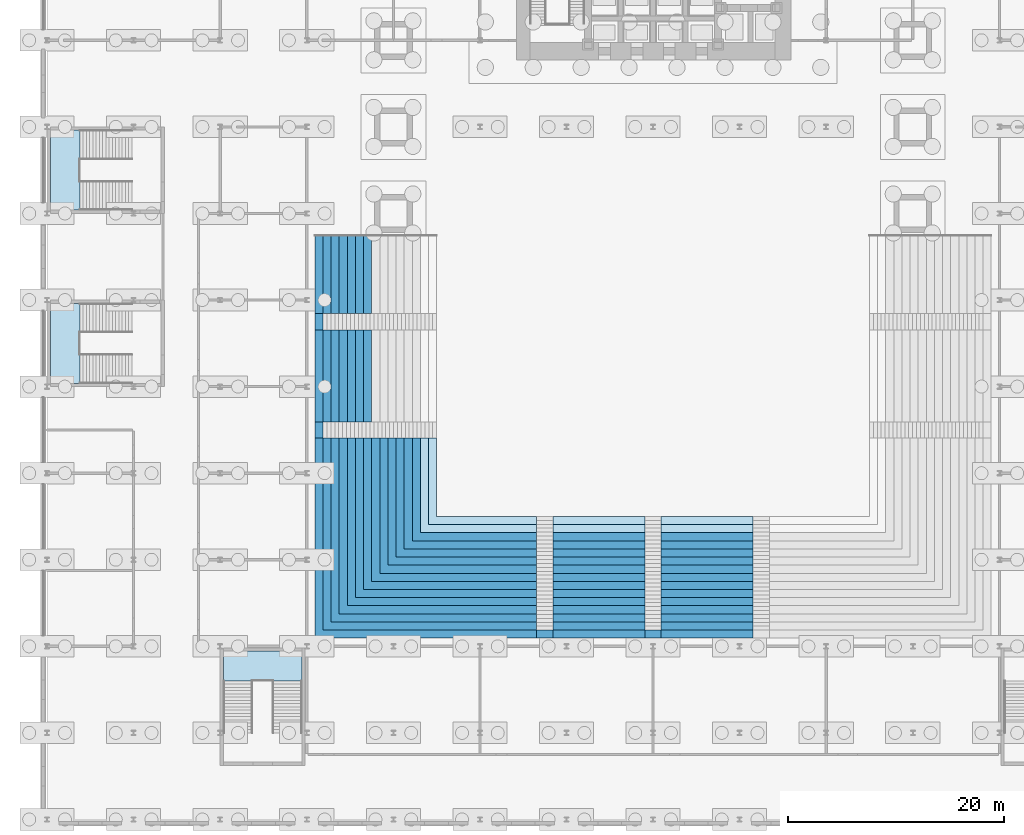
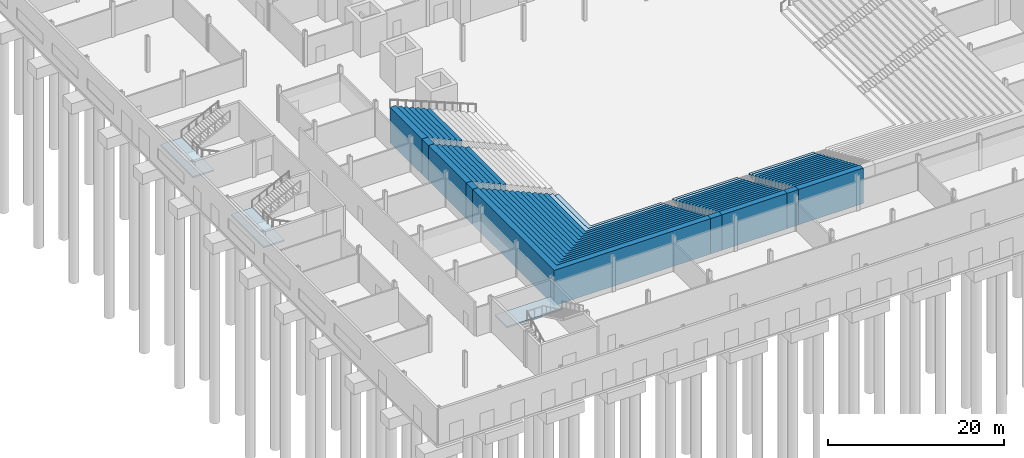
# One storey, part 8 of 24: 66 slabs, 3 elements without a shape of their own.
"""IFC4 building model written with IfcOpenShell, lengths in metres."""

from ifc_helpers import new_model, si_unit, direction, frame, origin, place, context, subcontext, project, spatial, polyline, outline, extrude, material, layer, layer_set, type_object, element, aggregate, save


model = new_model("IFC4")

# Units and contexts
model_context = context("Model", 3, precision=1e-05, world=origin(), true_north=direction((0.0, 1.0)))
body_context = subcontext(model_context, "Body", "Model", "MODEL_VIEW")
ifc_project = project(units=[si_unit("LENGTHUNIT", "METRE"), si_unit("AREAUNIT", "SQUARE_METRE"), si_unit("VOLUMEUNIT", "CUBIC_METRE"), si_unit("PLANEANGLEUNIT", "RADIAN"), si_unit("MASSUNIT", "GRAM", prefix="KILO")], contexts=[model_context])

# Site, building, storey
site_placement = place(None, origin())
site = spatial("IfcSite", under=ifc_project, at=site_placement, CompositionType="ELEMENT")
building_placement = place(site_placement, origin())
building = spatial("IfcBuilding", under=site, at=building_placement, Name="Daluyong Arena Tower", CompositionType="ELEMENT")
storey_placement = place(building_placement, origin())
storey = spatial("IfcBuildingStorey", under=building, at=storey_placement, Name="L00", CompositionType="ELEMENT", Elevation=0.0)

# Slabs
ifc_material_1 = material(Name="Concrete fc' 35 MPa", Category="concrete")
ifc_layer_1 = layer(ifc_material_1, 0.326904296875)
ifc_layer_set_1 = layer_set([ifc_layer_1], Name="Concrete fc' 35 MPa")
slab_type_1 = type_object("IfcSlabType", Name="Lower seating row 01", PredefinedType="USERDEFINED", material=ifc_layer_set_1)
slab_1_placement = place(storey_placement, origin())
element("IfcSlab", 1, at=slab_1_placement, inside=storey, type_object=slab_type_1, Name="lower seating row 1 part 3", ObjectType="SEATING UNIT", PredefinedType="USERDEFINED", context=body_context, shape_type="SweptSolid", body=[
    extrude(outline(polyline([(35.25, 27.25), (45.25, 27.25), (45.25, 28.0), (36.0, 28.0), (36.0, 35.25), (35.25, 35.25), (35.25, 27.25)])), origin(), (0.0, 0.0, 1.0), 0.32666015625),
])
slab_2_placement = place(storey_placement, origin())
element("IfcSlab", 2, at=slab_2_placement, inside=storey, type_object=slab_type_1, Name="lower seating row 1 part 4", ObjectType="SEATING UNIT", PredefinedType="USERDEFINED", context=body_context, shape_type="SweptSolid", body=[
    extrude(outline(polyline([(46.75, 27.25), (55.25, 27.25), (55.25, 28.0), (46.75, 28.0), (46.75, 27.25)])), origin(), (0.0, 0.0, 1.0), 0.32666015625),
])
slab_3_placement = place(storey_placement, origin())
element("IfcSlab", 3, at=slab_3_placement, inside=storey, type_object=slab_type_1, Name="lower seating row 1 part 5", ObjectType="SEATING UNIT", PredefinedType="USERDEFINED", context=body_context, shape_type="SweptSolid", body=[
    extrude(outline(polyline([(56.75, 27.25), (65.25, 27.25), (65.25, 28.0), (56.75, 28.0), (56.75, 27.25)])), origin(), (0.0, 0.0, 1.0), 0.32666015625),
])
ifc_material_2 = material(Name="Concrete fc' 35 MPa", Category="concrete")
ifc_layer_2 = layer(ifc_material_2, 0.653076171875)
ifc_layer_set_2 = layer_set([ifc_layer_2], Name="Concrete fc' 35 MPa")
slab_type_2 = type_object("IfcSlabType", Name="Lower seating row 02", PredefinedType="USERDEFINED", material=ifc_layer_set_2)
slab_4_placement = place(storey_placement, origin())
element("IfcSlab", 4, at=slab_4_placement, inside=storey, type_object=slab_type_2, Name="lower seating row 2 part 3", ObjectType="SEATING UNIT", PredefinedType="USERDEFINED", context=body_context, shape_type="SweptSolid", body=[
    extrude(outline(polyline([(34.5, 26.5), (45.25, 26.5), (45.25, 27.25), (35.25, 27.25), (35.25, 35.25), (34.5, 35.25), (34.5, 26.5)])), origin(), (0.0, 0.0, 1.0), 0.6533203125),
])
slab_5_placement = place(storey_placement, origin())
element("IfcSlab", 5, at=slab_5_placement, inside=storey, type_object=slab_type_2, Name="lower seating row 2 part 4", ObjectType="SEATING UNIT", PredefinedType="USERDEFINED", context=body_context, shape_type="SweptSolid", body=[
    extrude(outline(polyline([(46.75, 26.5), (55.25, 26.5), (55.25, 27.25), (46.75, 27.25), (46.75, 26.5)])), origin(), (0.0, 0.0, 1.0), 0.6533203125),
])
slab_6_placement = place(storey_placement, origin())
element("IfcSlab", 6, at=slab_6_placement, inside=storey, type_object=slab_type_2, Name="lower seating row 2 part 5", ObjectType="SEATING UNIT", PredefinedType="USERDEFINED", context=body_context, shape_type="SweptSolid", body=[
    extrude(outline(polyline([(56.75, 26.5), (65.25, 26.5), (65.25, 27.25), (56.75, 27.25), (56.75, 26.5)])), origin(), (0.0, 0.0, 1.0), 0.6533203125),
])
ifc_material_3 = material(Name="Concrete fc' 35 MPa", Category="concrete")
ifc_layer_3 = layer(ifc_material_3, 0.97998046875)
ifc_layer_set_3 = layer_set([ifc_layer_3], Name="Concrete fc' 35 MPa")
slab_type_3 = type_object("IfcSlabType", Name="Lower seating row 03", PredefinedType="USERDEFINED", material=ifc_layer_set_3)
slab_7_placement = place(storey_placement, origin())
element("IfcSlab", 7, at=slab_7_placement, inside=storey, type_object=slab_type_3, Name="lower seating row 3 part 3", ObjectType="SEATING UNIT", PredefinedType="USERDEFINED", context=body_context, shape_type="SweptSolid", body=[
    extrude(outline(polyline([(33.75, 25.75), (45.25, 25.75), (45.25, 26.5), (34.5, 26.5), (34.5, 35.25), (33.75, 35.25), (33.75, 25.75)])), origin(), (0.0, 0.0, 1.0), 0.97998046875),
])
slab_8_placement = place(storey_placement, origin())
element("IfcSlab", 8, at=slab_8_placement, inside=storey, type_object=slab_type_3, Name="lower seating row 3 part 4", ObjectType="SEATING UNIT", PredefinedType="USERDEFINED", context=body_context, shape_type="SweptSolid", body=[
    extrude(outline(polyline([(46.75, 25.75), (55.25, 25.75), (55.25, 26.5), (46.75, 26.5), (46.75, 25.75)])), origin(), (0.0, 0.0, 1.0), 0.97998046875),
])
slab_9_placement = place(storey_placement, origin())
element("IfcSlab", 9, at=slab_9_placement, inside=storey, type_object=slab_type_3, Name="lower seating row 3 part 5", ObjectType="SEATING UNIT", PredefinedType="USERDEFINED", context=body_context, shape_type="SweptSolid", body=[
    extrude(outline(polyline([(56.75, 25.75), (65.25, 25.75), (65.25, 26.5), (56.75, 26.5), (56.75, 25.75)])), origin(), (0.0, 0.0, 1.0), 0.97998046875),
])
ifc_material_4 = material(Name="Concrete fc' 35 MPa", Category="concrete")
ifc_layer_4 = layer(ifc_material_4, 1.306884765625)
ifc_layer_set_4 = layer_set([ifc_layer_4], Name="Concrete fc' 35 MPa")
slab_type_4 = type_object("IfcSlabType", Name="Lower seating row 04", PredefinedType="USERDEFINED", material=ifc_layer_set_4)
slab_10_placement = place(storey_placement, origin())
element("IfcSlab", 10, at=slab_10_placement, inside=storey, type_object=slab_type_4, Name="lower seating row 4 part 3", ObjectType="SEATING UNIT", PredefinedType="USERDEFINED", context=body_context, shape_type="SweptSolid", body=[
    extrude(outline(polyline([(33.0, 25.0), (45.25, 25.0), (45.25, 25.75), (33.75, 25.75), (33.75, 35.25), (33.0, 35.25), (33.0, 25.0)])), origin(), (0.0, 0.0, 1.0), 1.306640625),
])
slab_11_placement = place(storey_placement, origin())
element("IfcSlab", 11, at=slab_11_placement, inside=storey, type_object=slab_type_4, Name="lower seating row 4 part 4", ObjectType="SEATING UNIT", PredefinedType="USERDEFINED", context=body_context, shape_type="SweptSolid", body=[
    extrude(outline(polyline([(46.75, 25.0), (55.25, 25.0), (55.25, 25.75), (46.75, 25.75), (46.75, 25.0)])), origin(), (0.0, 0.0, 1.0), 1.306640625),
])
slab_12_placement = place(storey_placement, origin())
element("IfcSlab", 12, at=slab_12_placement, inside=storey, type_object=slab_type_4, Name="lower seating row 4 part 5", ObjectType="SEATING UNIT", PredefinedType="USERDEFINED", context=body_context, shape_type="SweptSolid", body=[
    extrude(outline(polyline([(56.75, 25.0), (65.25, 25.0), (65.25, 25.75), (56.75, 25.75), (56.75, 25.0)])), origin(), (0.0, 0.0, 1.0), 1.306640625),
])
ifc_material_5 = material(Name="Concrete fc' 35 MPa", Category="concrete")
ifc_layer_5 = layer(ifc_material_5, 1.633056640625)
ifc_layer_set_5 = layer_set([ifc_layer_5], Name="Concrete fc' 35 MPa")
slab_type_5 = type_object("IfcSlabType", Name="Lower seating row 05", PredefinedType="USERDEFINED", material=ifc_layer_set_5)
slab_13_placement = place(storey_placement, origin())
element("IfcSlab", 13, at=slab_13_placement, inside=storey, type_object=slab_type_5, Name="lower seating row 5 part 3", ObjectType="SEATING UNIT", PredefinedType="USERDEFINED", context=body_context, shape_type="SweptSolid", body=[
    extrude(outline(polyline([(32.25, 24.25), (45.25, 24.25), (45.25, 25.0), (33.0, 25.0), (33.0, 35.25), (32.25, 35.25), (32.25, 24.25)])), origin(), (0.0, 0.0, 1.0), 1.63330078125),
])
slab_14_placement = place(storey_placement, origin())
element("IfcSlab", 14, at=slab_14_placement, inside=storey, type_object=slab_type_5, Name="lower seating row 5 part 4", ObjectType="SEATING UNIT", PredefinedType="USERDEFINED", context=body_context, shape_type="SweptSolid", body=[
    extrude(outline(polyline([(46.75, 24.25), (55.25, 24.25), (55.25, 25.0), (46.75, 25.0), (46.75, 24.25)])), origin(), (0.0, 0.0, 1.0), 1.63330078125),
])
slab_15_placement = place(storey_placement, origin())
element("IfcSlab", 15, at=slab_15_placement, inside=storey, type_object=slab_type_5, Name="lower seating row 5 part 5", ObjectType="SEATING UNIT", PredefinedType="USERDEFINED", context=body_context, shape_type="SweptSolid", body=[
    extrude(outline(polyline([(56.75, 24.25), (65.25, 24.25), (65.25, 25.0), (56.75, 25.0), (56.75, 24.25)])), origin(), (0.0, 0.0, 1.0), 1.63330078125),
])
ifc_material_6 = material(Name="Concrete fc' 35 MPa", Category="concrete")
ifc_layer_6 = layer(ifc_material_6, 1.9599609375)
ifc_layer_set_6 = layer_set([ifc_layer_6], Name="Concrete fc' 35 MPa")
slab_type_6 = type_object("IfcSlabType", Name="Lower seating row 06", PredefinedType="USERDEFINED", material=ifc_layer_set_6)
slab_16_placement = place(storey_placement, origin())
element("IfcSlab", 16, at=slab_16_placement, inside=storey, type_object=slab_type_6, Name="lower seating row 6 part 3", ObjectType="SEATING UNIT", PredefinedType="USERDEFINED", context=body_context, shape_type="SweptSolid", body=[
    extrude(outline(polyline([(31.5, 23.5), (45.25, 23.5), (45.25, 24.25), (32.25, 24.25), (32.25, 35.25), (31.5, 35.25), (31.5, 23.5)])), origin(), (0.0, 0.0, 1.0), 1.9599609375),
])
slab_17_placement = place(storey_placement, origin())
element("IfcSlab", 17, at=slab_17_placement, inside=storey, type_object=slab_type_6, Name="lower seating row 6 part 4", ObjectType="SEATING UNIT", PredefinedType="USERDEFINED", context=body_context, shape_type="SweptSolid", body=[
    extrude(outline(polyline([(46.75, 23.5), (55.25, 23.5), (55.25, 24.25), (46.75, 24.25), (46.75, 23.5)])), origin(), (0.0, 0.0, 1.0), 1.9599609375),
])
slab_18_placement = place(storey_placement, origin())
element("IfcSlab", 18, at=slab_18_placement, inside=storey, type_object=slab_type_6, Name="lower seating row 6 part 5", ObjectType="SEATING UNIT", PredefinedType="USERDEFINED", context=body_context, shape_type="SweptSolid", body=[
    extrude(outline(polyline([(56.75, 23.5), (65.25, 23.5), (65.25, 24.25), (56.75, 24.25), (56.75, 23.5)])), origin(), (0.0, 0.0, 1.0), 1.9599609375),
])
ifc_material_7 = material(Name="Concrete fc' 35 MPa", Category="concrete")
ifc_layer_7 = layer(ifc_material_7, 2.287109375)
ifc_layer_set_7 = layer_set([ifc_layer_7], Name="Concrete fc' 35 MPa")
slab_type_7 = type_object("IfcSlabType", Name="Lower seating row 07", PredefinedType="USERDEFINED", material=ifc_layer_set_7)
slab_19_placement = place(storey_placement, origin())
element("IfcSlab", 19, at=slab_19_placement, inside=storey, type_object=slab_type_7, Name="lower seating row 7 part 3", ObjectType="SEATING UNIT", PredefinedType="USERDEFINED", context=body_context, shape_type="SweptSolid", body=[
    extrude(outline(polyline([(30.75, 22.75), (45.25, 22.75), (45.25, 23.5), (31.5, 23.5), (31.5, 35.25), (30.75, 35.25), (30.75, 22.75)])), origin(), (0.0, 0.0, 1.0), 2.28662109375),
])
slab_20_placement = place(storey_placement, origin())
element("IfcSlab", 20, at=slab_20_placement, inside=storey, type_object=slab_type_7, Name="lower seating row 7 part 4", ObjectType="SEATING UNIT", PredefinedType="USERDEFINED", context=body_context, shape_type="SweptSolid", body=[
    extrude(outline(polyline([(46.75, 22.75), (55.25, 22.75), (55.25, 23.5), (46.75, 23.5), (46.75, 22.75)])), origin(), (0.0, 0.0, 1.0), 2.28662109375),
])
slab_21_placement = place(storey_placement, origin())
element("IfcSlab", 21, at=slab_21_placement, inside=storey, type_object=slab_type_7, Name="lower seating row 7 part 5", ObjectType="SEATING UNIT", PredefinedType="USERDEFINED", context=body_context, shape_type="SweptSolid", body=[
    extrude(outline(polyline([(56.75, 22.75), (65.25, 22.75), (65.25, 23.5), (56.75, 23.5), (56.75, 22.75)])), origin(), (0.0, 0.0, 1.0), 2.28662109375),
])
ifc_material_8 = material(Name="Concrete fc' 35 MPa", Category="concrete")
ifc_layer_8 = layer(ifc_material_8, 2.613037109375)
ifc_layer_set_8 = layer_set([ifc_layer_8], Name="Concrete fc' 35 MPa")
slab_type_8 = type_object("IfcSlabType", Name="Lower seating row 08", PredefinedType="USERDEFINED", material=ifc_layer_set_8)
slab_22_placement = place(storey_placement, origin())
element("IfcSlab", 22, at=slab_22_placement, inside=storey, type_object=slab_type_8, Name="lower seating row 8 part 3", ObjectType="SEATING UNIT", PredefinedType="USERDEFINED", context=body_context, shape_type="SweptSolid", body=[
    extrude(outline(polyline([(30.0, 22.0), (45.25, 22.0), (45.25, 22.75), (30.75, 22.75), (30.75, 35.25), (30.0, 35.25), (30.0, 22.0)])), origin(), (0.0, 0.0, 1.0), 2.61328125),
])
slab_23_placement = place(storey_placement, origin())
element("IfcSlab", 23, at=slab_23_placement, inside=storey, type_object=slab_type_8, Name="lower seating row 8 part 4", ObjectType="SEATING UNIT", PredefinedType="USERDEFINED", context=body_context, shape_type="SweptSolid", body=[
    extrude(outline(polyline([(46.75, 22.0), (55.25, 22.0), (55.25, 22.75), (46.75, 22.75), (46.75, 22.0)])), origin(), (0.0, 0.0, 1.0), 2.61328125),
])
slab_24_placement = place(storey_placement, origin())
element("IfcSlab", 24, at=slab_24_placement, inside=storey, type_object=slab_type_8, Name="lower seating row 8 part 5", ObjectType="SEATING UNIT", PredefinedType="USERDEFINED", context=body_context, shape_type="SweptSolid", body=[
    extrude(outline(polyline([(56.75, 22.0), (65.25, 22.0), (65.25, 22.75), (56.75, 22.75), (56.75, 22.0)])), origin(), (0.0, 0.0, 1.0), 2.61328125),
])
ifc_material_9 = material(Name="Concrete fc' 35 MPa", Category="concrete")
ifc_layer_9 = layer(ifc_material_9, 2.93994140625)
ifc_layer_set_9 = layer_set([ifc_layer_9], Name="Concrete fc' 35 MPa")
slab_type_9 = type_object("IfcSlabType", Name="Lower seating row 09", PredefinedType="USERDEFINED", material=ifc_layer_set_9)
slab_25_placement = place(storey_placement, origin())
element("IfcSlab", 25, at=slab_25_placement, inside=storey, type_object=slab_type_9, Name="lower seating row 9 part 1", ObjectType="SEATING UNIT", PredefinedType="USERDEFINED", context=body_context, shape_type="SweptSolid", body=[
    extrude(outline(polyline([(29.25, 45.25), (29.25, 36.75), (30.0, 36.75), (30.0, 45.25), (29.25, 45.25)])), origin(), (0.0, 0.0, 1.0), 2.93994140625),
])
slab_26_placement = place(storey_placement, origin())
element("IfcSlab", 26, at=slab_26_placement, inside=storey, type_object=slab_type_9, Name="lower seating row 9 part 2", ObjectType="SEATING UNIT", PredefinedType="USERDEFINED", context=body_context, shape_type="SweptSolid", body=[
    extrude(outline(polyline([(29.25, 54.0), (29.25, 46.75), (30.0, 46.75), (30.0, 54.0), (29.25, 54.0)])), origin(), (0.0, 0.0, 1.0), 2.93994140625),
])
slab_27_placement = place(storey_placement, origin())
element("IfcSlab", 27, at=slab_27_placement, inside=storey, type_object=slab_type_9, Name="lower seating row 9 part 3", ObjectType="SEATING UNIT", PredefinedType="USERDEFINED", context=body_context, shape_type="SweptSolid", body=[
    extrude(outline(polyline([(29.25, 21.25), (45.25, 21.25), (45.25, 22.0), (30.0, 22.0), (30.0, 35.25), (29.25, 35.25), (29.25, 21.25)])), origin(), (0.0, 0.0, 1.0), 2.93994140625),
])
slab_28_placement = place(storey_placement, origin())
element("IfcSlab", 28, at=slab_28_placement, inside=storey, type_object=slab_type_9, Name="lower seating row 9 part 4", ObjectType="SEATING UNIT", PredefinedType="USERDEFINED", context=body_context, shape_type="SweptSolid", body=[
    extrude(outline(polyline([(46.75, 21.25), (55.25, 21.25), (55.25, 22.0), (46.75, 22.0), (46.75, 21.25)])), origin(), (0.0, 0.0, 1.0), 2.93994140625),
])
slab_29_placement = place(storey_placement, origin())
element("IfcSlab", 29, at=slab_29_placement, inside=storey, type_object=slab_type_9, Name="lower seating row 9 part 5", ObjectType="SEATING UNIT", PredefinedType="USERDEFINED", context=body_context, shape_type="SweptSolid", body=[
    extrude(outline(polyline([(56.75, 21.25), (65.25, 21.25), (65.25, 22.0), (56.75, 22.0), (56.75, 21.25)])), origin(), (0.0, 0.0, 1.0), 2.93994140625),
])
ifc_material_10 = material(Name="Concrete fc' 35 MPa", Category="concrete")
ifc_layer_10 = layer(ifc_material_10, 3.26708984375)
ifc_layer_set_10 = layer_set([ifc_layer_10], Name="Concrete fc' 35 MPa")
slab_type_10 = type_object("IfcSlabType", Name="Lower seating row 10", PredefinedType="USERDEFINED", material=ifc_layer_set_10)
slab_30_placement = place(storey_placement, origin())
element("IfcSlab", 30, at=slab_30_placement, inside=storey, type_object=slab_type_10, Name="lower seating row 10 part 1", ObjectType="SEATING UNIT", PredefinedType="USERDEFINED", context=body_context, shape_type="SweptSolid", body=[
    extrude(outline(polyline([(28.5, 45.25), (28.5, 36.75), (29.25, 36.75), (29.25, 45.25), (28.5, 45.25)])), origin(), (0.0, 0.0, 1.0), 3.2666015625),
])
slab_31_placement = place(storey_placement, origin())
element("IfcSlab", 31, at=slab_31_placement, inside=storey, type_object=slab_type_10, Name="lower seating row 10 part 2", ObjectType="SEATING UNIT", PredefinedType="USERDEFINED", context=body_context, shape_type="SweptSolid", body=[
    extrude(outline(polyline([(28.5, 54.0), (28.5, 46.75), (29.25, 46.75), (29.25, 54.0), (28.5, 54.0)])), origin(), (0.0, 0.0, 1.0), 3.2666015625),
])
slab_32_placement = place(storey_placement, origin())
element("IfcSlab", 32, at=slab_32_placement, inside=storey, type_object=slab_type_10, Name="lower seating row 10 part 3", ObjectType="SEATING UNIT", PredefinedType="USERDEFINED", context=body_context, shape_type="SweptSolid", body=[
    extrude(outline(polyline([(28.5, 20.5), (45.25, 20.5), (45.25, 21.25), (29.25, 21.25), (29.25, 35.25), (28.5, 35.25), (28.5, 20.5)])), origin(), (0.0, 0.0, 1.0), 3.2666015625),
])
slab_33_placement = place(storey_placement, origin())
element("IfcSlab", 33, at=slab_33_placement, inside=storey, type_object=slab_type_10, Name="lower seating row 10 part 4", ObjectType="SEATING UNIT", PredefinedType="USERDEFINED", context=body_context, shape_type="SweptSolid", body=[
    extrude(outline(polyline([(46.75, 20.5), (55.25, 20.5), (55.25, 21.25), (46.75, 21.25), (46.75, 20.5)])), origin(), (0.0, 0.0, 1.0), 3.2666015625),
])
slab_34_placement = place(storey_placement, origin())
element("IfcSlab", 34, at=slab_34_placement, inside=storey, type_object=slab_type_10, Name="lower seating row 10 part 5", ObjectType="SEATING UNIT", PredefinedType="USERDEFINED", context=body_context, shape_type="SweptSolid", body=[
    extrude(outline(polyline([(56.75, 20.5), (65.25, 20.5), (65.25, 21.25), (56.75, 21.25), (56.75, 20.5)])), origin(), (0.0, 0.0, 1.0), 3.2666015625),
])
ifc_material_11 = material(Name="Concrete fc' 35 MPa", Category="concrete")
ifc_layer_11 = layer(ifc_material_11, 3.593017578125)
ifc_layer_set_11 = layer_set([ifc_layer_11], Name="Concrete fc' 35 MPa")
slab_type_11 = type_object("IfcSlabType", Name="Lower seating row 11", PredefinedType="USERDEFINED", material=ifc_layer_set_11)
slab_35_placement = place(storey_placement, origin())
element("IfcSlab", 35, at=slab_35_placement, inside=storey, type_object=slab_type_11, Name="lower seating row 11 part 1", ObjectType="SEATING UNIT", PredefinedType="USERDEFINED", context=body_context, shape_type="SweptSolid", body=[
    extrude(outline(polyline([(27.75, 45.25), (27.75, 36.75), (28.5, 36.75), (28.5, 45.25), (27.75, 45.25)])), origin(), (0.0, 0.0, 1.0), 3.59326171875),
])
slab_36_placement = place(storey_placement, origin())
element("IfcSlab", 36, at=slab_36_placement, inside=storey, type_object=slab_type_11, Name="lower seating row 11 part 2", ObjectType="SEATING UNIT", PredefinedType="USERDEFINED", context=body_context, shape_type="SweptSolid", body=[
    extrude(outline(polyline([(27.75, 54.0), (27.75, 46.75), (28.5, 46.75), (28.5, 54.0), (27.75, 54.0)])), origin(), (0.0, 0.0, 1.0), 3.59326171875),
])
slab_37_placement = place(storey_placement, origin())
element("IfcSlab", 37, at=slab_37_placement, inside=storey, type_object=slab_type_11, Name="lower seating row 11 part 3", ObjectType="SEATING UNIT", PredefinedType="USERDEFINED", context=body_context, shape_type="SweptSolid", body=[
    extrude(outline(polyline([(27.75, 19.75), (45.25, 19.75), (45.25, 20.5), (28.5, 20.5), (28.5, 35.25), (27.75, 35.25), (27.75, 19.75)])), origin(), (0.0, 0.0, 1.0), 3.59326171875),
])
slab_38_placement = place(storey_placement, origin())
element("IfcSlab", 38, at=slab_38_placement, inside=storey, type_object=slab_type_11, Name="lower seating row 11 part 4", ObjectType="SEATING UNIT", PredefinedType="USERDEFINED", context=body_context, shape_type="SweptSolid", body=[
    extrude(outline(polyline([(46.75, 19.75), (55.25, 19.75), (55.25, 20.5), (46.75, 20.5), (46.75, 19.75)])), origin(), (0.0, 0.0, 1.0), 3.59326171875),
])
slab_39_placement = place(storey_placement, origin())
element("IfcSlab", 39, at=slab_39_placement, inside=storey, type_object=slab_type_11, Name="lower seating row 11 part 5", ObjectType="SEATING UNIT", PredefinedType="USERDEFINED", context=body_context, shape_type="SweptSolid", body=[
    extrude(outline(polyline([(56.75, 19.75), (65.25, 19.75), (65.25, 20.5), (56.75, 20.5), (56.75, 19.75)])), origin(), (0.0, 0.0, 1.0), 3.59326171875),
])
ifc_material_12 = material(Name="Concrete fc' 35 MPa", Category="concrete")
ifc_layer_12 = layer(ifc_material_12, 3.919921875)
ifc_layer_set_12 = layer_set([ifc_layer_12], Name="Concrete fc' 35 MPa")
slab_type_12 = type_object("IfcSlabType", Name="Lower seating row 12", PredefinedType="USERDEFINED", material=ifc_layer_set_12)
slab_40_placement = place(storey_placement, origin())
element("IfcSlab", 40, at=slab_40_placement, inside=storey, type_object=slab_type_12, Name="lower seating row 12 part 1", ObjectType="SEATING UNIT", PredefinedType="USERDEFINED", context=body_context, shape_type="SweptSolid", body=[
    extrude(outline(polyline([(27.0, 45.25), (27.0, 36.75), (27.75, 36.75), (27.75, 45.25), (27.0, 45.25)])), origin(), (0.0, 0.0, 1.0), 3.919921875),
])
slab_41_placement = place(storey_placement, origin())
element("IfcSlab", 41, at=slab_41_placement, inside=storey, type_object=slab_type_12, Name="lower seating row 12 part 2", ObjectType="SEATING UNIT", PredefinedType="USERDEFINED", context=body_context, shape_type="SweptSolid", body=[
    extrude(outline(polyline([(27.0, 54.0), (27.0, 46.75), (27.75, 46.75), (27.75, 54.0), (27.0, 54.0)])), origin(), (0.0, 0.0, 1.0), 3.919921875),
])
slab_42_placement = place(storey_placement, origin())
element("IfcSlab", 42, at=slab_42_placement, inside=storey, type_object=slab_type_12, Name="lower seating row 12 part 3", ObjectType="SEATING UNIT", PredefinedType="USERDEFINED", context=body_context, shape_type="SweptSolid", body=[
    extrude(outline(polyline([(27.0, 19.0), (45.25, 19.0), (45.25, 19.75), (27.75, 19.75), (27.75, 35.25), (27.0, 35.25), (27.0, 19.0)])), origin(), (0.0, 0.0, 1.0), 3.919921875),
])
slab_43_placement = place(storey_placement, origin())
element("IfcSlab", 43, at=slab_43_placement, inside=storey, type_object=slab_type_12, Name="lower seating row 12 part 4", ObjectType="SEATING UNIT", PredefinedType="USERDEFINED", context=body_context, shape_type="SweptSolid", body=[
    extrude(outline(polyline([(46.75, 19.0), (55.25, 19.0), (55.25, 19.75), (46.75, 19.75), (46.75, 19.0)])), origin(), (0.0, 0.0, 1.0), 3.919921875),
])
slab_44_placement = place(storey_placement, origin())
element("IfcSlab", 44, at=slab_44_placement, inside=storey, type_object=slab_type_12, Name="lower seating row 12 part 5", ObjectType="SEATING UNIT", PredefinedType="USERDEFINED", context=body_context, shape_type="SweptSolid", body=[
    extrude(outline(polyline([(56.75, 19.0), (65.25, 19.0), (65.25, 19.75), (56.75, 19.75), (56.75, 19.0)])), origin(), (0.0, 0.0, 1.0), 3.919921875),
])
ifc_material_13 = material(Name="Concrete fc' 35 MPa", Category="concrete")
ifc_layer_13 = layer(ifc_material_13, 4.2470703125)
ifc_layer_set_13 = layer_set([ifc_layer_13], Name="Concrete fc' 35 MPa")
slab_type_13 = type_object("IfcSlabType", Name="Lower seating row 13", PredefinedType="USERDEFINED", material=ifc_layer_set_13)
slab_45_placement = place(storey_placement, origin())
element("IfcSlab", 45, at=slab_45_placement, inside=storey, type_object=slab_type_13, Name="lower seating row 13 part 1", ObjectType="SEATING UNIT", PredefinedType="USERDEFINED", context=body_context, shape_type="SweptSolid", body=[
    extrude(outline(polyline([(26.25, 45.25), (26.25, 36.75), (27.0, 36.75), (27.0, 45.25), (26.25, 45.25)])), origin(), (0.0, 0.0, 1.0), 4.24658203125),
])
slab_46_placement = place(storey_placement, origin())
element("IfcSlab", 46, at=slab_46_placement, inside=storey, type_object=slab_type_13, Name="lower seating row 13 part 2", ObjectType="SEATING UNIT", PredefinedType="USERDEFINED", context=body_context, shape_type="SweptSolid", body=[
    extrude(outline(polyline([(26.25, 54.0), (26.25, 46.75), (27.0, 46.75), (27.0, 54.0), (26.25, 54.0)])), origin(), (0.0, 0.0, 1.0), 4.24658203125),
])
slab_47_placement = place(storey_placement, origin())
element("IfcSlab", 47, at=slab_47_placement, inside=storey, type_object=slab_type_13, Name="lower seating row 13 part 3", ObjectType="SEATING UNIT", PredefinedType="USERDEFINED", context=body_context, shape_type="SweptSolid", body=[
    extrude(outline(polyline([(26.25, 18.25), (45.25, 18.25), (45.25, 19.0), (27.0, 19.0), (27.0, 35.25), (26.25, 35.25), (26.25, 18.25)])), origin(), (0.0, 0.0, 1.0), 4.24658203125),
])
slab_48_placement = place(storey_placement, origin())
element("IfcSlab", 48, at=slab_48_placement, inside=storey, type_object=slab_type_13, Name="lower seating row 13 part 4", ObjectType="SEATING UNIT", PredefinedType="USERDEFINED", context=body_context, shape_type="SweptSolid", body=[
    extrude(outline(polyline([(46.75, 18.25), (55.25, 18.25), (55.25, 19.0), (46.75, 19.0), (46.75, 18.25)])), origin(), (0.0, 0.0, 1.0), 4.24658203125),
])
slab_49_placement = place(storey_placement, origin())
element("IfcSlab", 49, at=slab_49_placement, inside=storey, type_object=slab_type_13, Name="lower seating row 13 part 5", ObjectType="SEATING UNIT", PredefinedType="USERDEFINED", context=body_context, shape_type="SweptSolid", body=[
    extrude(outline(polyline([(56.75, 18.25), (65.25, 18.25), (65.25, 19.0), (56.75, 19.0), (56.75, 18.25)])), origin(), (0.0, 0.0, 1.0), 4.24658203125),
])
ifc_material_14 = material(Name="Concrete fc' 35 MPa", Category="concrete")
ifc_layer_14 = layer(ifc_material_14, 4.572998046875)
ifc_layer_set_14 = layer_set([ifc_layer_14], Name="Concrete fc' 35 MPa")
slab_type_14 = type_object("IfcSlabType", Name="Lower seating row 14", PredefinedType="USERDEFINED", material=ifc_layer_set_14)
slab_50_placement = place(storey_placement, origin())
element("IfcSlab", 50, at=slab_50_placement, inside=storey, type_object=slab_type_14, Name="lower seating row 14 part 1", ObjectType="SEATING UNIT", PredefinedType="USERDEFINED", context=body_context, shape_type="SweptSolid", body=[
    extrude(outline(polyline([(25.5, 45.25), (25.5, 36.75), (26.25, 36.75), (26.25, 45.25), (25.5, 45.25)])), origin(), (0.0, 0.0, 1.0), 4.5732421875),
])
slab_51_placement = place(storey_placement, origin())
element("IfcSlab", 51, at=slab_51_placement, inside=storey, type_object=slab_type_14, Name="lower seating row 14 part 2", ObjectType="SEATING UNIT", PredefinedType="USERDEFINED", context=body_context, shape_type="SweptSolid", body=[
    extrude(outline(polyline([(25.5, 54.0), (25.5, 46.75), (26.25, 46.75), (26.25, 54.0), (25.5, 54.0)])), origin(), (0.0, 0.0, 1.0), 4.5732421875),
])
slab_52_placement = place(storey_placement, origin())
element("IfcSlab", 52, at=slab_52_placement, inside=storey, type_object=slab_type_14, Name="lower seating row 14 part 3", ObjectType="SEATING UNIT", PredefinedType="USERDEFINED", context=body_context, shape_type="SweptSolid", body=[
    extrude(outline(polyline([(25.5, 17.5), (45.25, 17.5), (45.25, 18.25), (26.25, 18.25), (26.25, 35.25), (25.5, 35.25), (25.5, 17.5)])), origin(), (0.0, 0.0, 1.0), 4.5732421875),
])
slab_53_placement = place(storey_placement, origin())
element("IfcSlab", 53, at=slab_53_placement, inside=storey, type_object=slab_type_14, Name="lower seating row 14 part 4", ObjectType="SEATING UNIT", PredefinedType="USERDEFINED", context=body_context, shape_type="SweptSolid", body=[
    extrude(outline(polyline([(46.75, 17.5), (55.25, 17.5), (55.25, 18.25), (46.75, 18.25), (46.75, 17.5)])), origin(), (0.0, 0.0, 1.0), 4.5732421875),
])
slab_54_placement = place(storey_placement, origin())
element("IfcSlab", 54, at=slab_54_placement, inside=storey, type_object=slab_type_14, Name="lower seating row 14 part 5", ObjectType="SEATING UNIT", PredefinedType="USERDEFINED", context=body_context, shape_type="SweptSolid", body=[
    extrude(outline(polyline([(56.75, 17.5), (65.25, 17.5), (65.25, 18.25), (56.75, 18.25), (56.75, 17.5)])), origin(), (0.0, 0.0, 1.0), 4.5732421875),
])
ifc_material_15 = material(Name="Concrete fc' 35 MPa", Category="concrete")
ifc_layer_15 = layer(ifc_material_15, 4.89990234375)
ifc_layer_set_15 = layer_set([ifc_layer_15], Name="Concrete fc' 35 MPa")
slab_type_15 = type_object("IfcSlabType", Name="Lower seating row 15", PredefinedType="USERDEFINED", material=ifc_layer_set_15)
slab_55_placement = place(storey_placement, origin())
element("IfcSlab", 55, at=slab_55_placement, inside=storey, type_object=slab_type_15, Name="lower seating row 15 part 1", ObjectType="SEATING UNIT", PredefinedType="USERDEFINED", context=body_context, shape_type="SweptSolid", body=[
    extrude(outline(polyline([(24.75, 45.25), (24.75, 36.75), (25.5, 36.75), (25.5, 45.25), (24.75, 45.25)])), origin(), (0.0, 0.0, 1.0), 4.89990234375),
])
slab_56_placement = place(storey_placement, origin())
element("IfcSlab", 56, at=slab_56_placement, inside=storey, type_object=slab_type_15, Name="lower seating row 15 part 2", ObjectType="SEATING UNIT", PredefinedType="USERDEFINED", context=body_context, shape_type="SweptSolid", body=[
    extrude(outline(polyline([(24.75, 54.0), (24.75, 46.75), (25.5, 46.75), (25.5, 54.0), (24.75, 54.0)])), origin(), (0.0, 0.0, 1.0), 4.89990234375),
])
slab_57_placement = place(storey_placement, origin())
element("IfcSlab", 57, at=slab_57_placement, inside=storey, type_object=slab_type_15, Name="lower seating row 15 part 3", ObjectType="SEATING UNIT", PredefinedType="USERDEFINED", context=body_context, shape_type="SweptSolid", body=[
    extrude(outline(polyline([(24.75, 16.75), (45.25, 16.75), (45.25, 17.5), (25.5, 17.5), (25.5, 35.25), (24.75, 35.25), (24.75, 16.75)])), origin(), (0.0, 0.0, 1.0), 4.89990234375),
])
slab_58_placement = place(storey_placement, origin())
element("IfcSlab", 58, at=slab_58_placement, inside=storey, type_object=slab_type_15, Name="lower seating row 15 part 4", ObjectType="SEATING UNIT", PredefinedType="USERDEFINED", context=body_context, shape_type="SweptSolid", body=[
    extrude(outline(polyline([(46.75, 16.75), (55.25, 16.75), (55.25, 17.5), (46.75, 17.5), (46.75, 16.75)])), origin(), (0.0, 0.0, 1.0), 4.89990234375),
])
slab_59_placement = place(storey_placement, origin())
element("IfcSlab", 59, at=slab_59_placement, inside=storey, type_object=slab_type_15, Name="lower seating row 15 part 5", ObjectType="SEATING UNIT", PredefinedType="USERDEFINED", context=body_context, shape_type="SweptSolid", body=[
    extrude(outline(polyline([(56.75, 16.75), (65.25, 16.75), (65.25, 17.5), (56.75, 17.5), (56.75, 16.75)])), origin(), (0.0, 0.0, 1.0), 4.89990234375),
])
slab_60_placement = place(storey_placement, origin())
element("IfcSlab", 60, at=slab_60_placement, inside=storey, type_object=slab_type_15, Name="lower seating row aisle head", ObjectType="SEATING UNIT", PredefinedType="USERDEFINED", context=body_context, shape_type="SweptSolid", body=[
    extrude(outline(polyline([(25.5, 35.25), (25.5, 36.75), (24.75, 36.75), (24.75, 35.25), (25.5, 35.25)])), origin(), (0.0, 0.0, 1.0), 4.89990234375),
])
slab_61_placement = place(storey_placement, origin())
element("IfcSlab", 61, at=slab_61_placement, inside=storey, type_object=slab_type_15, Name="lower seating row aisle head", ObjectType="SEATING UNIT", PredefinedType="USERDEFINED", context=body_context, shape_type="SweptSolid", body=[
    extrude(outline(polyline([(25.5, 45.25), (25.5, 46.75), (24.75, 46.75), (24.75, 45.25), (25.5, 45.25)])), origin(), (0.0, 0.0, 1.0), 4.89990234375),
])
slab_62_placement = place(storey_placement, origin())
element("IfcSlab", 62, at=slab_62_placement, inside=storey, type_object=slab_type_15, Name="lower seating row aisle head", ObjectType="SEATING UNIT", PredefinedType="USERDEFINED", context=body_context, shape_type="SweptSolid", body=[
    extrude(outline(polyline([(46.75, 16.75), (46.75, 17.5), (45.25, 17.5), (45.25, 16.75), (46.75, 16.75)])), origin(), (0.0, 0.0, 1.0), 4.89990234375),
])
slab_63_placement = place(storey_placement, origin())
element("IfcSlab", 63, at=slab_63_placement, inside=storey, type_object=slab_type_15, Name="lower seating row aisle head", ObjectType="SEATING UNIT", PredefinedType="USERDEFINED", context=body_context, shape_type="SweptSolid", body=[
    extrude(outline(polyline([(56.75, 16.75), (56.75, 17.5), (55.25, 17.5), (55.25, 16.75), (56.75, 16.75)])), origin(), (0.0, 0.0, 1.0), 4.89990234375),
])

# Stair, slab
ifc_material_16 = material(Name="Concrete fc' 35 MPa", Category="concrete")
stair_type = type_object("IfcStairType", Name="Podium exit stair", PredefinedType="HALF_TURN_STAIR", material=ifc_material_16)
stair_1_placement = place(storey_placement, origin())
stair_1 = element("IfcStair", 64, at=stair_1_placement, inside=storey, type_object=stair_type, Name="exit stair PS1 L00", PredefinedType="HALF_TURN_STAIR")
ifc_material_17 = material(Name="Concrete fc' 35 MPa", Category="concrete")
ifc_layer_16 = layer(ifc_material_17, 0.199951171875)
ifc_layer_set_16 = layer_set([ifc_layer_16], Name="Concrete fc' 35 MPa")
slab_type_16 = type_object("IfcSlabType", Name="Stair landing 200", PredefinedType="LANDING", material=ifc_layer_set_16)
slab_64_placement = place(storey_placement, frame((0.0, 0.0, 2.25)))
slab_64 = element("IfcSlab", 65, at=slab_64_placement, type_object=slab_type_16, Name="PS1 landing 1", PredefinedType="LANDING", context=body_context, shape_type="SweptSolid", body=[
    extrude(outline(polyline([(16.300048828125, 12.81005859375), (23.550048828125, 12.81005859375), (23.550048828125, 15.550048828125), (16.300048828125, 15.550048828125), (16.300048828125, 12.81005859375)])), origin(), (0.0, 0.0, 1.0), 0.199951171875),
])
aggregate(stair_1, [slab_64])

stair_2_placement = place(storey_placement, origin())
stair_2 = element("IfcStair", 66, at=stair_2_placement, inside=storey, type_object=stair_type, Name="exit stair PS3 L00", PredefinedType="HALF_TURN_STAIR")
slab_65_placement = place(storey_placement, frame((0.0, 0.0, 2.25)))
slab_65 = element("IfcSlab", 67, at=slab_65_placement, type_object=slab_type_16, Name="PS3 landing 1", PredefinedType="LANDING", context=body_context, shape_type="SweptSolid", body=[
    extrude(outline(polyline([(3.0400390625, 40.300048828125), (3.0400390625, 47.699951171875), (0.300048828125, 47.699951171875), (0.300048828125, 40.300048828125), (3.0400390625, 40.300048828125)])), origin(), (0.0, 0.0, 1.0), 0.199951171875),
])
aggregate(stair_2, [slab_65])

stair_3_placement = place(storey_placement, origin())
stair_3 = element("IfcStair", 68, at=stair_3_placement, inside=storey, type_object=stair_type, Name="exit stair PS7 L00", PredefinedType="HALF_TURN_STAIR")
slab_66_placement = place(storey_placement, frame((0.0, 0.0, 2.25)))
slab_66 = element("IfcSlab", 69, at=slab_66_placement, type_object=slab_type_16, Name="PS7 landing 1", PredefinedType="LANDING", context=body_context, shape_type="SweptSolid", body=[
    extrude(outline(polyline([(3.0400390625, 56.300048828125), (3.0400390625, 63.699951171875), (0.300048828125, 63.699951171875), (0.300048828125, 56.300048828125), (3.0400390625, 56.300048828125)])), origin(), (0.0, 0.0, 1.0), 0.199951171875),
])
aggregate(stair_3, [slab_66])

save(model, "model.ifc")
